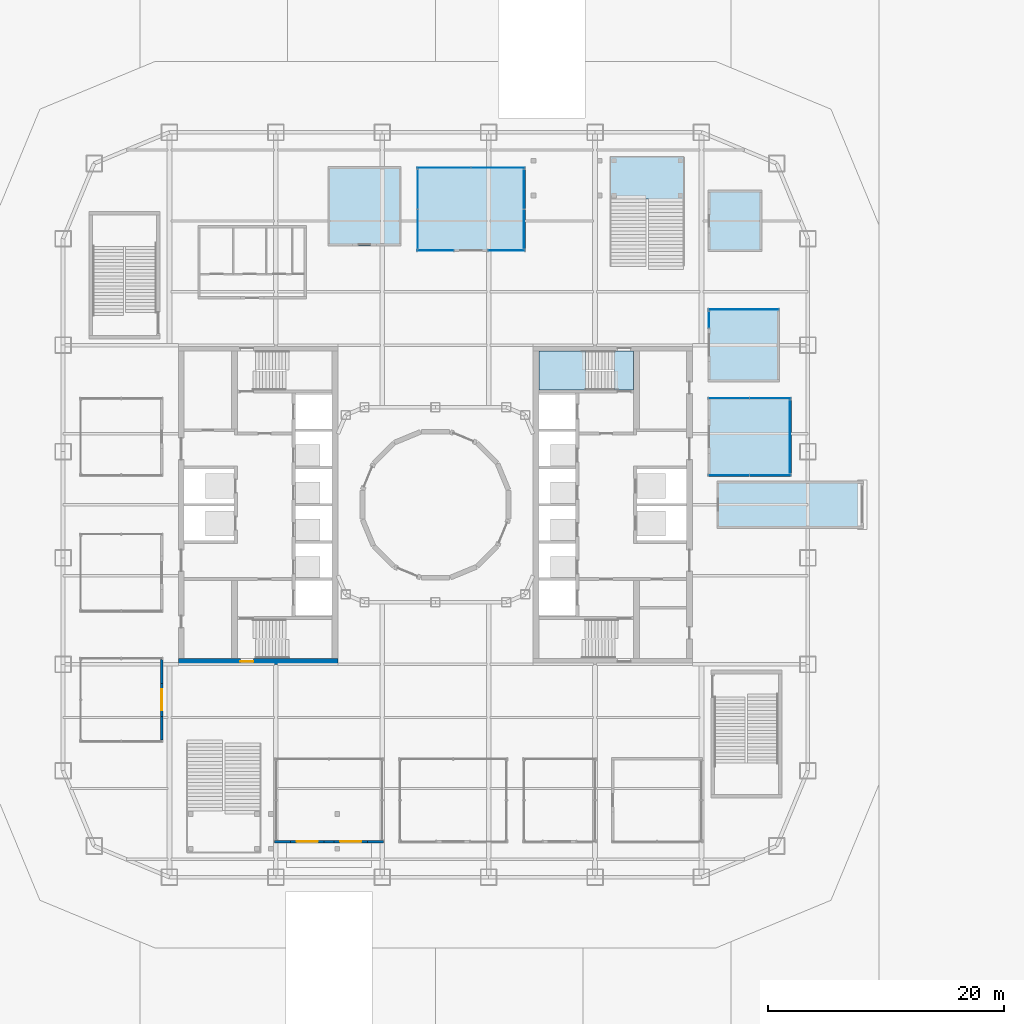
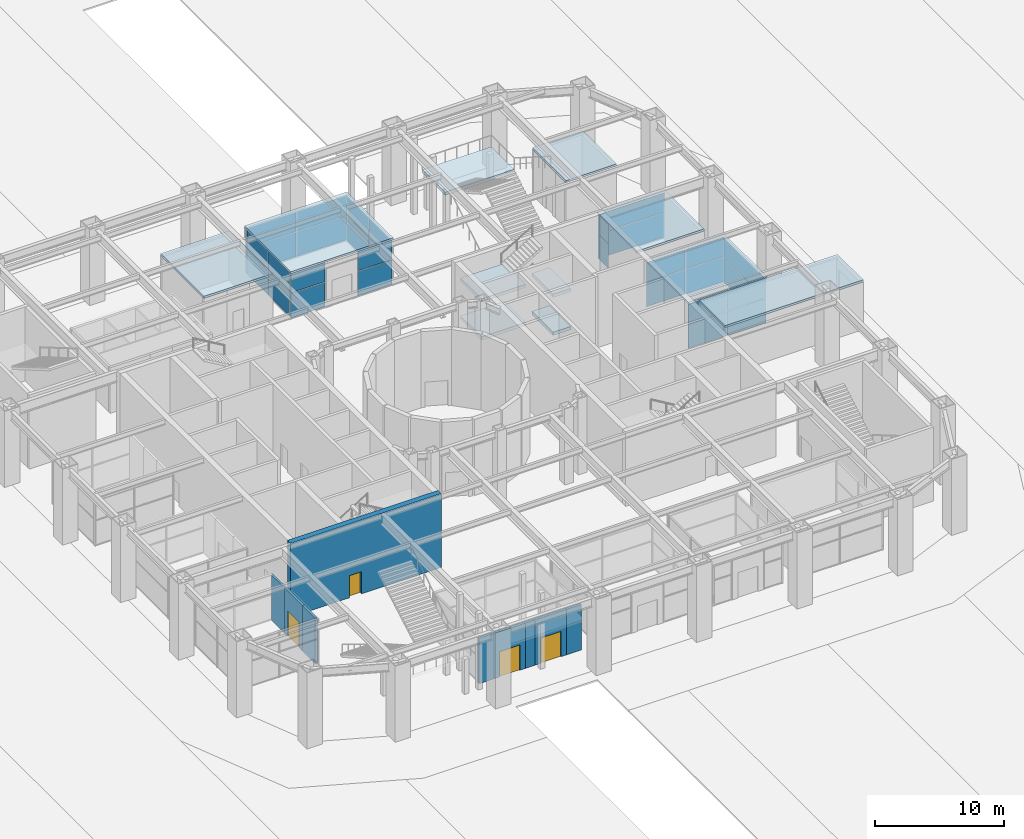
# One storey, part 12 of 20: 36 plates, 9 walls, 5 slabs, 4 doors, 4 openings, 12 elements without a shape of their own.
"""IFC4 building model written with IfcOpenShell, lengths in metres."""

import ifcopenshell
import ifcopenshell.guid

model = None  # the IFC model being written
_history = None  # IfcOwnerHistory: only IFC2X3 demands one
_inside = {}  # id of a spatial element -> (the spatial element, [elements in it])
_under = {}  # id of a project, library or spatial element -> (it, [spatial elements below it])
_declared = {}  # id of a project -> (the project, [libraries it declares])
_typed = {}  # id of a type object -> (the type object, [elements of that type])
_made_of = {}  # id of a material, layer set ... -> (it, [elements and type objects made of it])


def new_model(schema):
    """Start an empty IFC model of exactly this schema.

    Asked for "IFC4X3", IfcOpenShell would pick the latest addendum, in which some entities
    have other attributes; the version numbers below select the first issue.
    IFC2X3 requires an IfcOwnerHistory on every rooted entity: one is made here for all.
    """
    global model, _history
    if schema == "IFC4X3":
        model = ifcopenshell.file(schema_version=(4, 3, 0, 0))
    else:
        model = ifcopenshell.file(schema=schema)
    _inside.clear()
    _under.clear()
    _declared.clear()
    _typed.clear()
    _made_of.clear()
    _history = None
    if model.schema == "IFC2X3":
        org = make("IfcOrganization", Name="unknown")
        user = make(
            "IfcPersonAndOrganization",
            ThePerson=make("IfcPerson", FamilyName="unknown"),
            TheOrganization=org,
        )
        app = make(
            "IfcApplication",
            ApplicationDeveloper=org,
            Version="unknown",
            ApplicationFullName="unknown",
            ApplicationIdentifier="unknown",
        )
        _history = make(
            "IfcOwnerHistory",
            OwningUser=user,
            OwningApplication=app,
            ChangeAction="ADDED",
            CreationDate=0,
        )
    return model


def make(cls, **values):
    """One entity of the class cls with the attributes given. An attribute that is None is left unset."""
    return model.create_entity(
        cls, **{name: value for name, value in values.items() if value is not None}
    )


def rooted(cls, **values):
    """An entity with a GlobalId (a new one), such as an element, a storey or a relation."""
    return make(cls, GlobalId=ifcopenshell.guid.new(), OwnerHistory=_history, **values)


def si_unit(unit_type, name, prefix=None):
    """IfcSIUnit, for example si_unit("LENGTHUNIT", "METRE", prefix="MILLI")."""
    return make("IfcSIUnit", UnitType=unit_type, Prefix=prefix, Name=name)


def assignment(units):
    """IfcUnitAssignment: the units of a project."""
    return None if units is None else make("IfcUnitAssignment", Units=units)


def point(xyz):
    """IfcCartesianPoint."""
    return None if xyz is None else make("IfcCartesianPoint", Coordinates=xyz)


def direction(xyz):
    """IfcDirection."""
    return None if xyz is None else make("IfcDirection", DirectionRatios=xyz)


def frame(location, z_axis=None, x_axis=None):
    """IfcAxis2Placement3D, a coordinate frame: its origin and axes. An axis left out is left unset."""
    return make(
        "IfcAxis2Placement3D",
        Location=point(location),
        Axis=direction(z_axis),
        RefDirection=direction(x_axis),
    )


def frame_2d(location, x_axis=None):
    """IfcAxis2Placement2D, a coordinate frame in the plane: its origin and x axis."""
    return make(
        "IfcAxis2Placement2D", Location=point(location), RefDirection=direction(x_axis)
    )


def origin():
    """The frame at (0, 0, 0) with its axes left unset."""
    return frame((0.0, 0.0, 0.0))


def origin_2d():
    """The frame at (0, 0) in the plane with its x axis left unset."""
    return frame_2d((0.0, 0.0))


def place(relative_to, where):
    """IfcLocalPlacement: puts the frame where relative to a parent placement (None: the world)."""
    return make(
        "IfcLocalPlacement", PlacementRelTo=relative_to, RelativePlacement=where
    )


def context(
    kind, dimensions, precision=None, world=None, true_north=None, identifier=None
):
    """IfcGeometricRepresentationContext, for example the 3D "Model" context."""
    return make(
        "IfcGeometricRepresentationContext",
        ContextIdentifier=identifier,
        ContextType=kind,
        CoordinateSpaceDimension=dimensions,
        Precision=precision,
        WorldCoordinateSystem=world,
        TrueNorth=true_north,
    )


def subcontext(parent, identifier, kind, view, scale=None):
    """IfcGeometricRepresentationSubContext, for example "Body" below "Model"."""
    return make(
        "IfcGeometricRepresentationSubContext",
        ContextIdentifier=identifier,
        ContextType=kind,
        ParentContext=parent,
        TargetScale=scale,
        TargetView=view,
    )


def project(units=None, contexts=None):
    """IfcProject with its units and contexts."""
    return rooted(
        "IfcProject",
        Name="project",
        RepresentationContexts=contexts,
        UnitsInContext=assignment(units),
    )


def spatial(cls, under=None, at=None, **own):
    """A site, building, storey or space (cls), placed at a placement, below another one or the project."""
    s = rooted(cls, ObjectPlacement=at, **own)
    if under is not None:
        _under.setdefault(under.id(), (under, []))[1].append(s)
    return s


def polyline(points):
    """IfcPolyline through the points."""
    return make("IfcPolyline", Points=[point(p) for p in points])


def profile(cls, at=None, kind="AREA", **sizes):
    """A parametric profile (cls). Its sizes go by their IFC names, for example OverallWidth=200.0."""
    return make(cls, ProfileType=kind, Position=at, **sizes)


def rectangle(**sizes):
    """IfcRectangleProfileDef."""
    return profile("IfcRectangleProfileDef", **sizes)


def outline(outer, holes=None, kind="AREA"):
    """IfcArbitraryClosedProfileDef: a profile drawn as a closed curve; with holes, ...WithVoids."""
    if holes is None:
        return make("IfcArbitraryClosedProfileDef", ProfileType=kind, OuterCurve=outer)
    return make(
        "IfcArbitraryProfileDefWithVoids",
        ProfileType=kind,
        OuterCurve=outer,
        InnerCurves=holes,
    )


def extrude(swept, where, along, depth):
    """IfcExtrudedAreaSolid: the profile swept, set in the frame where, extruded along a direction by depth."""
    return make(
        "IfcExtrudedAreaSolid",
        SweptArea=swept,
        Position=where,
        ExtrudedDirection=direction(along),
        Depth=depth,
    )


def shape(context_of_items, identifier, shape_type, items):
    """IfcShapeRepresentation: the items that make up one representation, for example the "Body"."""
    return make(
        "IfcShapeRepresentation",
        ContextOfItems=context_of_items,
        RepresentationIdentifier=identifier,
        RepresentationType=shape_type,
        Items=items,
    )


def material(Name=None, Category=None):
    """IfcMaterial."""
    return make("IfcMaterial", Name=Name, Category=Category)


def layer(
    of_material, thickness, ventilated=None, Name=None, Category=None, Priority=None
):
    """IfcMaterialLayer: one layer of a wall or slab, of a material (None: an air gap)."""
    return make(
        "IfcMaterialLayer",
        Material=of_material,
        LayerThickness=thickness,
        IsVentilated=ventilated,
        Name=Name,
        Category=Category,
        Priority=Priority,
    )


def layer_set(layers, Name=None):
    """IfcMaterialLayerSet."""
    return make("IfcMaterialLayerSet", MaterialLayers=layers, LayerSetName=Name)


def made_of(thing, what):
    """Note that an element or type object is made of a material, layer set ...; save() writes the relation."""
    if what is not None:
        _made_of.setdefault(what.id(), (what, []))[1].append(thing)
    return thing


def type_object(cls, material=None, **own):
    """A type object (cls), such as IfcWallType, which elements share."""
    return made_of(rooted(cls, **own), material)


def element(
    cls,
    number,
    at=None,
    inside=None,
    cuts=None,
    type_object=None,
    material=None,
    context=None,
    identifier="Body",
    shape_type=None,
    held_by="IfcProductDefinitionShape",
    body=None,
    shapes=None,
    **own,
):
    """One element of the class cls, such as IfcWall. Its Tag is "e" and its number.

    at: its placement. inside: the storey or other place that contains it. cuts: it is an
    opening in that element (IfcRelVoidsElement). A single representation is given by context,
    identifier, shape_type and body (its items); several are given by shapes. held_by: the class
    of the entity that holds the representations. save() writes the other relations.
    """
    e = rooted(cls, Tag="e%d" % number, ObjectPlacement=at, **own)
    if body is not None:
        shapes = [shape(context, identifier, shape_type, body)]
    if shapes is not None:
        e.Representation = make(held_by, Representations=shapes)
    if inside is not None:
        _inside.setdefault(inside.id(), (inside, []))[1].append(e)
    if cuts is not None:
        rooted(
            "IfcRelVoidsElement", RelatingBuildingElement=cuts, RelatedOpeningElement=e
        )
    if type_object is not None:
        _typed.setdefault(type_object.id(), (type_object, []))[1].append(e)
    return made_of(e, material)


def fill(opening, filler):
    """IfcRelFillsElement: the door or window that sits in an opening."""
    return rooted(
        "IfcRelFillsElement",
        RelatingOpeningElement=opening,
        RelatedBuildingElement=filler,
    )


def aggregate(whole, parts):
    """IfcRelAggregates: a whole, such as a stair, and the parts it consists of."""
    return rooted("IfcRelAggregates", RelatingObject=whole, RelatedObjects=parts)


def save(model, path):
    """Write the relations noted so far, then the file.

    IfcRelAggregates (storeys below a building ...), IfcRelContainedInSpatialStructure (elements
    in a storey), IfcRelDefinesByType, IfcRelAssociatesMaterial and IfcRelDeclares: one each for
    every whole, place, type object, material and project.
    """
    for whole, parts in _under.values():
        aggregate(whole, parts)
    for where, things in _inside.values():
        rooted(
            "IfcRelContainedInSpatialStructure",
            RelatedElements=things,
            RelatingStructure=where,
        )
    for kind, things in _typed.values():
        rooted("IfcRelDefinesByType", RelatedObjects=things, RelatingType=kind)
    for what, things in _made_of.values():
        rooted("IfcRelAssociatesMaterial", RelatedObjects=things, RelatingMaterial=what)
    for by, libraries in _declared.values():
        rooted("IfcRelDeclares", RelatingContext=by, RelatedDefinitions=libraries)
    model.write(path)


model = new_model("IFC4")

# Units and contexts
model_context = context("Model", 3, precision=1e-05, world=origin(), true_north=direction((0.0, 1.0)))
body_context = subcontext(model_context, "Body", "Model", "MODEL_VIEW")
ifc_project = project(units=[si_unit("LENGTHUNIT", "METRE"), si_unit("AREAUNIT", "SQUARE_METRE"), si_unit("VOLUMEUNIT", "CUBIC_METRE"), si_unit("PLANEANGLEUNIT", "RADIAN"), si_unit("MASSUNIT", "GRAM", prefix="KILO")], contexts=[model_context])

# Site, building, storey
site_placement = place(None, origin())
site = spatial("IfcSite", under=ifc_project, at=site_placement, CompositionType="ELEMENT")
building_placement = place(site_placement, origin())
building = spatial("IfcBuilding", under=site, at=building_placement, Name="Siwar Civic Tower", CompositionType="ELEMENT")
storey_placement = place(building_placement, origin())
storey = spatial("IfcBuildingStorey", under=building, at=storey_placement, Name="L00", CompositionType="ELEMENT", Elevation=0.0)

# Stair, slabs
ifc_material_1 = material(Name="Concrete C40/50", Category="concrete")
stair_type_1 = type_object("IfcStairType", Name="CORE-STAIR", PredefinedType="TWO_STRAIGHT_RUN_STAIR", material=ifc_material_1)
stair_1_placement = place(storey_placement, origin())
stair_1 = element("IfcStair", 1, at=stair_1_placement, inside=storey, type_object=stair_type_1, Name="Exit stair ST3", PredefinedType="TWO_STRAIGHT_RUN_STAIR")
ifc_material_2 = material(Name="Concrete C40/50", Category="concrete")
ifc_layer_1 = layer(ifc_material_2, 0.300048828125)
ifc_layer_set_1 = layer_set([ifc_layer_1], Name="Concrete C40/50")
slab_type_1 = type_object("IfcSlabType", Name="CORE-STAIR-LANDING", PredefinedType="LANDING", material=ifc_layer_set_1)
slab_1_placement = place(storey_placement, frame((0.0, 0.0, -0.300048828125)))
slab_1 = element("IfcSlab", 2, at=slab_1_placement, type_object=slab_type_1, Name="ST3 landing 1", PredefinedType="LANDING", context=body_context, shape_type="SweptSolid", body=[
    extrude(outline(polyline([(15.14990234375, 9.699951171875), (16.75, 9.699951171875), (16.75, 13.0), (15.14990234375, 13.0), (15.14990234375, 9.699951171875)])), origin(), (0.0, 0.0, 1.0), 0.300048828125),
])
slab_2_placement = place(storey_placement, frame((0.0, 0.0, 1.5)))
slab_2 = element("IfcSlab", 3, at=slab_2_placement, type_object=slab_type_1, Name="ST3 landing 2", PredefinedType="LANDING", context=body_context, shape_type="SweptSolid", body=[
    extrude(outline(polyline([(8.75, 9.699951171875), (12.699951171875, 9.699951171875), (12.699951171875, 13.0), (8.75, 13.0), (8.75, 9.699951171875)])), origin(), (0.0, 0.0, 1.0), 0.300048828125),
])
slab_3_placement = place(storey_placement, frame((0.0, 0.0, 3.300048828125)))
slab_3 = element("IfcSlab", 4, at=slab_3_placement, type_object=slab_type_1, Name="ST3 landing 3", PredefinedType="LANDING", context=body_context, shape_type="SweptSolid", body=[
    extrude(outline(polyline([(15.14990234375, 9.699951171875), (16.75, 9.699951171875), (16.75, 13.0), (15.14990234375, 13.0), (15.14990234375, 9.699951171875)])), origin(), (0.0, 0.0, 1.0), 0.300048828125),
])
slab_4_placement = place(storey_placement, frame((0.0, 0.0, 5.10009765625)))
slab_4 = element("IfcSlab", 5, at=slab_4_placement, type_object=slab_type_1, Name="ST3 landing 4", PredefinedType="LANDING", context=body_context, shape_type="SweptSolid", body=[
    extrude(outline(polyline([(8.75, 9.699951171875), (12.699951171875, 9.699951171875), (12.699951171875, 13.0), (8.75, 13.0), (8.75, 9.699951171875)])), origin(), (0.0, 0.0, 1.0), 0.2998046875),
])
aggregate(stair_1, [slab_1, slab_2, slab_3, slab_4])

# Curtain wall, plates
ifc_material_3 = material(Name="Aluminium and glass", Category="aluminium")
ifc_layer_2 = layer(ifc_material_3, 0.199951171875)
ifc_layer_set_2 = layer_set([ifc_layer_2], Name="Aluminium and glass")
curtain_wall_type = type_object("IfcCurtainWallType", Name="GND-CWG", PredefinedType="NOTDEFINED", material=ifc_layer_set_2)
curtain_wall_1_placement = place(storey_placement, origin())
curtain_wall_1 = element("IfcCurtainWall", 6, at=curtain_wall_1_placement, inside=storey, type_object=curtain_wall_type, Name="Glazed screen P03", PredefinedType="NOTDEFINED")
ifc_material_4 = material(Name="Clear laminated glass", Category="glass")
ifc_layer_3 = layer(ifc_material_4, 0.028076171875)
ifc_layer_set_3 = layer_set([ifc_layer_3], Name="Clear laminated glass")
plate_type_1 = type_object("IfcPlateType", Name="GND-CWG-PANEL", PredefinedType="CURTAIN_PANEL", material=ifc_layer_set_3)
plate_1_placement = place(storey_placement, frame((24.827392578125, 2.5, 0.06005859375), z_axis=(0.0, 0.0, 1.0), x_axis=(1.0, 0.0, 0.0)))
plate_1 = element("IfcPlate", 7, at=plate_1_placement, type_object=plate_type_1, Name="CW-G panel 1.1", PredefinedType="CURTAIN_PANEL", context=body_context, shape_type="SweptSolid", body=[
    extrude(rectangle(XDim=3.43505859375, YDim=0.028076171875, at=origin_2d()), origin(), (0.0, 0.0, 1.0), 2.31005859375),
])
plate_2_placement = place(storey_placement, frame((24.827392578125, 2.5, 2.429931640625), z_axis=(0.0, 0.0, 1.0), x_axis=(1.0, 0.0, 0.0)))
plate_2 = element("IfcPlate", 8, at=plate_2_placement, type_object=plate_type_1, Name="CW-G panel 1.2", PredefinedType="CURTAIN_PANEL", context=body_context, shape_type="SweptSolid", body=[
    extrude(rectangle(XDim=3.43505859375, YDim=0.028076171875, at=origin_2d()), origin(), (0.0, 0.0, 1.0), 1.81005859375),
])
plate_3_placement = place(storey_placement, frame((28.322509765625, 2.5, 0.06005859375), z_axis=(0.0, 0.0, 1.0), x_axis=(1.0, 0.0, 0.0)))
plate_3 = element("IfcPlate", 9, at=plate_3_placement, type_object=plate_type_1, Name="CW-G panel 2.1", PredefinedType="CURTAIN_PANEL", context=body_context, shape_type="SweptSolid", body=[
    extrude(rectangle(XDim=3.43505859375, YDim=0.028076171875, at=origin_2d()), origin(), (0.0, 0.0, 1.0), 2.31005859375),
])
plate_4_placement = place(storey_placement, frame((28.322509765625, 2.5, 2.429931640625), z_axis=(0.0, 0.0, 1.0), x_axis=(1.0, 0.0, 0.0)))
plate_4 = element("IfcPlate", 10, at=plate_4_placement, type_object=plate_type_1, Name="CW-G panel 2.2", PredefinedType="CURTAIN_PANEL", context=body_context, shape_type="SweptSolid", body=[
    extrude(rectangle(XDim=3.43505859375, YDim=0.028076171875, at=origin_2d()), origin(), (0.0, 0.0, 1.0), 1.81005859375),
])
aggregate(curtain_wall_1, [plate_1, plate_2, plate_3, plate_4])

curtain_wall_2_placement = place(storey_placement, origin())
curtain_wall_2 = element("IfcCurtainWall", 11, at=curtain_wall_2_placement, inside=storey, type_object=curtain_wall_type, Name="Glazed screen P03", PredefinedType="NOTDEFINED")
plate_5_placement = place(storey_placement, frame((30.0, 5.75, 0.06005859375), z_axis=(0.0, 0.0, 1.0), x_axis=(0.0, 1.0, 0.0)))
plate_5 = element("IfcPlate", 12, at=plate_5_placement, type_object=plate_type_1, Name="CW-G panel 1.1", PredefinedType="CURTAIN_PANEL", context=body_context, shape_type="SweptSolid", body=[
    extrude(rectangle(XDim=6.179931640625, YDim=0.028076171875, at=origin_2d()), origin(), (0.0, 0.0, 1.0), 2.31005859375),
])
plate_6_placement = place(storey_placement, frame((30.0, 5.75, 2.429931640625), z_axis=(0.0, 0.0, 1.0), x_axis=(0.0, 1.0, 0.0)))
plate_6 = element("IfcPlate", 13, at=plate_6_placement, type_object=plate_type_1, Name="CW-G panel 1.2", PredefinedType="CURTAIN_PANEL", context=body_context, shape_type="SweptSolid", body=[
    extrude(rectangle(XDim=6.179931640625, YDim=0.028076171875, at=origin_2d()), origin(), (0.0, 0.0, 1.0), 1.81005859375),
])
aggregate(curtain_wall_2, [plate_5, plate_6])

curtain_wall_3_placement = place(storey_placement, origin())
curtain_wall_3 = element("IfcCurtainWall", 14, at=curtain_wall_3_placement, inside=storey, type_object=curtain_wall_type, Name="Glazed screen P03", PredefinedType="NOTDEFINED")
plate_7_placement = place(storey_placement, frame((24.827392578125, 9.0, 0.06005859375), z_axis=(0.0, 0.0, 1.0), x_axis=(1.0, 0.0, 0.0)))
plate_7 = element("IfcPlate", 15, at=plate_7_placement, type_object=plate_type_1, Name="CW-G panel 1.1", PredefinedType="CURTAIN_PANEL", context=body_context, shape_type="SweptSolid", body=[
    extrude(rectangle(XDim=3.43505859375, YDim=0.028076171875, at=origin_2d()), origin(), (0.0, 0.0, 1.0), 2.31005859375),
])
plate_8_placement = place(storey_placement, frame((24.827392578125, 9.0, 2.429931640625), z_axis=(0.0, 0.0, 1.0), x_axis=(1.0, 0.0, 0.0)))
plate_8 = element("IfcPlate", 16, at=plate_8_placement, type_object=plate_type_1, Name="CW-G panel 1.2", PredefinedType="CURTAIN_PANEL", context=body_context, shape_type="SweptSolid", body=[
    extrude(rectangle(XDim=3.43505859375, YDim=0.028076171875, at=origin_2d()), origin(), (0.0, 0.0, 1.0), 1.81005859375),
])
plate_9_placement = place(storey_placement, frame((28.322509765625, 9.0, 0.06005859375), z_axis=(0.0, 0.0, 1.0), x_axis=(1.0, 0.0, 0.0)))
plate_9 = element("IfcPlate", 17, at=plate_9_placement, type_object=plate_type_1, Name="CW-G panel 2.1", PredefinedType="CURTAIN_PANEL", context=body_context, shape_type="SweptSolid", body=[
    extrude(rectangle(XDim=3.43505859375, YDim=0.028076171875, at=origin_2d()), origin(), (0.0, 0.0, 1.0), 2.31005859375),
])
plate_10_placement = place(storey_placement, frame((28.322509765625, 9.0, 2.429931640625), z_axis=(0.0, 0.0, 1.0), x_axis=(1.0, 0.0, 0.0)))
plate_10 = element("IfcPlate", 18, at=plate_10_placement, type_object=plate_type_1, Name="CW-G panel 2.2", PredefinedType="CURTAIN_PANEL", context=body_context, shape_type="SweptSolid", body=[
    extrude(rectangle(XDim=3.43505859375, YDim=0.028076171875, at=origin_2d()), origin(), (0.0, 0.0, 1.0), 1.81005859375),
])
aggregate(curtain_wall_3, [plate_7, plate_8, plate_9, plate_10])

curtain_wall_4_placement = place(storey_placement, origin())
curtain_wall_4 = element("IfcCurtainWall", 19, at=curtain_wall_4_placement, inside=storey, type_object=curtain_wall_type, Name="Glazed screen P07", PredefinedType="NOTDEFINED")
plate_11_placement = place(storey_placement, frame((0.0, 21.5, 0.06005859375), z_axis=(0.0, 0.0, 1.0), x_axis=(1.0, 0.0, 0.0)))
plate_11 = element("IfcPlate", 20, at=plate_11_placement, type_object=plate_type_1, Name="CW-G panel 1.1", PredefinedType="CURTAIN_PANEL", context=body_context, shape_type="SweptSolid", body=[
    extrude(rectangle(XDim=3.080078125, YDim=0.028076171875, at=origin_2d()), origin(), (0.0, 0.0, 1.0), 2.31005859375),
])
plate_12_placement = place(storey_placement, frame((0.0, 21.5, 2.429931640625), z_axis=(0.0, 0.0, 1.0), x_axis=(1.0, 0.0, 0.0)))
plate_12 = element("IfcPlate", 21, at=plate_12_placement, type_object=plate_type_1, Name="CW-G panel 1.2", PredefinedType="CURTAIN_PANEL", context=body_context, shape_type="SweptSolid", body=[
    extrude(rectangle(XDim=3.080078125, YDim=0.028076171875, at=origin_2d()), origin(), (0.0, 0.0, 1.0), 1.81005859375),
])
aggregate(curtain_wall_4, [plate_11, plate_12])

curtain_wall_5_placement = place(storey_placement, origin())
curtain_wall_5 = element("IfcCurtainWall", 22, at=curtain_wall_5_placement, inside=storey, type_object=curtain_wall_type, Name="Glazed screen P07", PredefinedType="NOTDEFINED")
plate_13_placement = place(storey_placement, frame((6.0, 21.5, 0.06005859375), z_axis=(0.0, 0.0, 1.0), x_axis=(1.0, 0.0, 0.0)))
plate_13 = element("IfcPlate", 23, at=plate_13_placement, type_object=plate_type_1, Name="CW-G panel 1.1", PredefinedType="CURTAIN_PANEL", context=body_context, shape_type="SweptSolid", body=[
    extrude(rectangle(XDim=3.080078125, YDim=0.028076171875, at=origin_2d()), origin(), (0.0, 0.0, 1.0), 2.31005859375),
])
plate_14_placement = place(storey_placement, frame((6.0, 21.5, 2.429931640625), z_axis=(0.0, 0.0, 1.0), x_axis=(1.0, 0.0, 0.0)))
plate_14 = element("IfcPlate", 24, at=plate_14_placement, type_object=plate_type_1, Name="CW-G panel 1.2", PredefinedType="CURTAIN_PANEL", context=body_context, shape_type="SweptSolid", body=[
    extrude(rectangle(XDim=3.080078125, YDim=0.028076171875, at=origin_2d()), origin(), (0.0, 0.0, 1.0), 1.81005859375),
])
aggregate(curtain_wall_5, [plate_13, plate_14])

curtain_wall_6_placement = place(storey_placement, origin())
curtain_wall_6 = element("IfcCurtainWall", 25, at=curtain_wall_6_placement, inside=storey, type_object=curtain_wall_type, Name="Glazed screen P07", PredefinedType="NOTDEFINED")
plate_15_placement = place(storey_placement, frame((7.5, 23.31494140625, 0.06005859375), z_axis=(0.0, 0.0, 1.0), x_axis=(0.0, 1.0, 0.0)))
plate_15 = element("IfcPlate", 26, at=plate_15_placement, type_object=plate_type_1, Name="CW-G panel 1.1", PredefinedType="CURTAIN_PANEL", context=body_context, shape_type="SweptSolid", body=[
    extrude(rectangle(XDim=3.31005859375, YDim=0.028076171875, at=origin_2d()), origin(), (0.0, 0.0, 1.0), 2.31005859375),
])
plate_16_placement = place(storey_placement, frame((7.5, 23.31494140625, 2.429931640625), z_axis=(0.0, 0.0, 1.0), x_axis=(0.0, 1.0, 0.0)))
plate_16 = element("IfcPlate", 27, at=plate_16_placement, type_object=plate_type_1, Name="CW-G panel 1.2", PredefinedType="CURTAIN_PANEL", context=body_context, shape_type="SweptSolid", body=[
    extrude(rectangle(XDim=3.31005859375, YDim=0.028076171875, at=origin_2d()), origin(), (0.0, 0.0, 1.0), 1.81005859375),
])
plate_17_placement = place(storey_placement, frame((7.5, 26.68505859375, 0.06005859375), z_axis=(0.0, 0.0, 1.0), x_axis=(0.0, 1.0, 0.0)))
plate_17 = element("IfcPlate", 28, at=plate_17_placement, type_object=plate_type_1, Name="CW-G panel 2.1", PredefinedType="CURTAIN_PANEL", context=body_context, shape_type="SweptSolid", body=[
    extrude(rectangle(XDim=3.31005859375, YDim=0.028076171875, at=origin_2d()), origin(), (0.0, 0.0, 1.0), 2.31005859375),
])
plate_18_placement = place(storey_placement, frame((7.5, 26.68505859375, 2.429931640625), z_axis=(0.0, 0.0, 1.0), x_axis=(0.0, 1.0, 0.0)))
plate_18 = element("IfcPlate", 29, at=plate_18_placement, type_object=plate_type_1, Name="CW-G panel 2.2", PredefinedType="CURTAIN_PANEL", context=body_context, shape_type="SweptSolid", body=[
    extrude(rectangle(XDim=3.31005859375, YDim=0.028076171875, at=origin_2d()), origin(), (0.0, 0.0, 1.0), 1.81005859375),
])
aggregate(curtain_wall_6, [plate_15, plate_16, plate_17, plate_18])

curtain_wall_7_placement = place(storey_placement, origin())
curtain_wall_7 = element("IfcCurtainWall", 30, at=curtain_wall_7_placement, inside=storey, type_object=curtain_wall_type, Name="Glazed screen P07", PredefinedType="NOTDEFINED")
plate_19_placement = place(storey_placement, frame((0.715087890625, 28.5, 0.06005859375), z_axis=(0.0, 0.0, 1.0), x_axis=(1.0, 0.0, 0.0)))
plate_19 = element("IfcPlate", 31, at=plate_19_placement, type_object=plate_type_1, Name="CW-G panel 1.1", PredefinedType="CURTAIN_PANEL", context=body_context, shape_type="SweptSolid", body=[
    extrude(rectangle(XDim=4.510009765625, YDim=0.028076171875, at=origin_2d()), origin(), (0.0, 0.0, 1.0), 2.31005859375),
])
plate_20_placement = place(storey_placement, frame((0.715087890625, 28.5, 2.429931640625), z_axis=(0.0, 0.0, 1.0), x_axis=(1.0, 0.0, 0.0)))
plate_20 = element("IfcPlate", 32, at=plate_20_placement, type_object=plate_type_1, Name="CW-G panel 1.2", PredefinedType="CURTAIN_PANEL", context=body_context, shape_type="SweptSolid", body=[
    extrude(rectangle(XDim=4.510009765625, YDim=0.028076171875, at=origin_2d()), origin(), (0.0, 0.0, 1.0), 1.81005859375),
])
plate_21_placement = place(storey_placement, frame((5.284912109375, 28.5, 0.06005859375), z_axis=(0.0, 0.0, 1.0), x_axis=(1.0, 0.0, 0.0)))
plate_21 = element("IfcPlate", 33, at=plate_21_placement, type_object=plate_type_1, Name="CW-G panel 2.1", PredefinedType="CURTAIN_PANEL", context=body_context, shape_type="SweptSolid", body=[
    extrude(rectangle(XDim=4.510009765625, YDim=0.028076171875, at=origin_2d()), origin(), (0.0, 0.0, 1.0), 2.31005859375),
])
plate_22_placement = place(storey_placement, frame((5.284912109375, 28.5, 2.429931640625), z_axis=(0.0, 0.0, 1.0), x_axis=(1.0, 0.0, 0.0)))
plate_22 = element("IfcPlate", 34, at=plate_22_placement, type_object=plate_type_1, Name="CW-G panel 2.2", PredefinedType="CURTAIN_PANEL", context=body_context, shape_type="SweptSolid", body=[
    extrude(rectangle(XDim=4.510009765625, YDim=0.028076171875, at=origin_2d()), origin(), (0.0, 0.0, 1.0), 1.81005859375),
])
aggregate(curtain_wall_7, [plate_19, plate_20, plate_21, plate_22])

curtain_wall_8_placement = place(storey_placement, origin())
curtain_wall_8 = element("IfcCurtainWall", 35, at=curtain_wall_8_placement, inside=storey, type_object=curtain_wall_type, Name="Glazed screen P07", PredefinedType="NOTDEFINED")
plate_23_placement = place(storey_placement, frame((-1.5, 23.31494140625, 0.06005859375), z_axis=(0.0, 0.0, 1.0), x_axis=(0.0, 1.0, 0.0)))
plate_23 = element("IfcPlate", 36, at=plate_23_placement, type_object=plate_type_1, Name="CW-G panel 1.1", PredefinedType="CURTAIN_PANEL", context=body_context, shape_type="SweptSolid", body=[
    extrude(rectangle(XDim=3.31005859375, YDim=0.028076171875, at=origin_2d()), origin(), (0.0, 0.0, 1.0), 2.31005859375),
])
plate_24_placement = place(storey_placement, frame((-1.5, 23.31494140625, 2.429931640625), z_axis=(0.0, 0.0, 1.0), x_axis=(0.0, 1.0, 0.0)))
plate_24 = element("IfcPlate", 37, at=plate_24_placement, type_object=plate_type_1, Name="CW-G panel 1.2", PredefinedType="CURTAIN_PANEL", context=body_context, shape_type="SweptSolid", body=[
    extrude(rectangle(XDim=3.31005859375, YDim=0.028076171875, at=origin_2d()), origin(), (0.0, 0.0, 1.0), 1.81005859375),
])
plate_25_placement = place(storey_placement, frame((-1.5, 26.68505859375, 0.06005859375), z_axis=(0.0, 0.0, 1.0), x_axis=(0.0, 1.0, 0.0)))
plate_25 = element("IfcPlate", 38, at=plate_25_placement, type_object=plate_type_1, Name="CW-G panel 2.1", PredefinedType="CURTAIN_PANEL", context=body_context, shape_type="SweptSolid", body=[
    extrude(rectangle(XDim=3.31005859375, YDim=0.028076171875, at=origin_2d()), origin(), (0.0, 0.0, 1.0), 2.31005859375),
])
plate_26_placement = place(storey_placement, frame((-1.5, 26.68505859375, 2.429931640625), z_axis=(0.0, 0.0, 1.0), x_axis=(0.0, 1.0, 0.0)))
plate_26 = element("IfcPlate", 39, at=plate_26_placement, type_object=plate_type_1, Name="CW-G panel 2.2", PredefinedType="CURTAIN_PANEL", context=body_context, shape_type="SweptSolid", body=[
    extrude(rectangle(XDim=3.31005859375, YDim=0.028076171875, at=origin_2d()), origin(), (0.0, 0.0, 1.0), 1.81005859375),
])
aggregate(curtain_wall_8, [plate_23, plate_24, plate_25, plate_26])

curtain_wall_9_placement = place(storey_placement, origin())
curtain_wall_9 = element("IfcCurtainWall", 40, at=curtain_wall_9_placement, inside=storey, type_object=curtain_wall_type, Name="Glazed screen P08", PredefinedType="NOTDEFINED")
plate_27_placement = place(storey_placement, frame((26.074951171875, 16.5, 0.06005859375), z_axis=(0.0, 0.0, 1.0), x_axis=(1.0, 0.0, 0.0)))
plate_27 = element("IfcPlate", 41, at=plate_27_placement, type_object=plate_type_1, Name="CW-G panel 1.1", PredefinedType="CURTAIN_PANEL", context=body_context, shape_type="SweptSolid", body=[
    extrude(rectangle(XDim=5.929931640625, YDim=0.028076171875, at=origin_2d()), origin(), (0.0, 0.0, 1.0), 2.31005859375),
])
plate_28_placement = place(storey_placement, frame((26.074951171875, 16.5, 2.429931640625), z_axis=(0.0, 0.0, 1.0), x_axis=(1.0, 0.0, 0.0)))
plate_28 = element("IfcPlate", 42, at=plate_28_placement, type_object=plate_type_1, Name="CW-G panel 1.2", PredefinedType="CURTAIN_PANEL", context=body_context, shape_type="SweptSolid", body=[
    extrude(rectangle(XDim=5.929931640625, YDim=0.028076171875, at=origin_2d()), origin(), (0.0, 0.0, 1.0), 1.81005859375),
])
aggregate(curtain_wall_9, [plate_27, plate_28])

curtain_wall_10_placement = place(storey_placement, origin())
curtain_wall_10 = element("IfcCurtainWall", 43, at=curtain_wall_10_placement, inside=storey, type_object=curtain_wall_type, Name="Glazed screen P08", PredefinedType="NOTDEFINED")
plate_29_placement = place(storey_placement, frame((23.14990234375, 15.64990234375, 0.06005859375), z_axis=(0.0, 0.0, 1.0), x_axis=(0.0, 1.0, 0.0)))
plate_29 = element("IfcPlate", 44, at=plate_29_placement, type_object=plate_type_1, Name="CW-G panel 1.1", PredefinedType="CURTAIN_PANEL", context=body_context, shape_type="SweptSolid", body=[
    extrude(rectangle(XDim=1.3798828125, YDim=0.028076171875, at=origin_2d()), origin(), (0.0, 0.0, 1.0), 2.31005859375),
])
plate_30_placement = place(storey_placement, frame((23.14990234375, 15.64990234375, 2.429931640625), z_axis=(0.0, 0.0, 1.0), x_axis=(0.0, 1.0, 0.0)))
plate_30 = element("IfcPlate", 45, at=plate_30_placement, type_object=plate_type_1, Name="CW-G panel 1.2", PredefinedType="CURTAIN_PANEL", context=body_context, shape_type="SweptSolid", body=[
    extrude(rectangle(XDim=1.3798828125, YDim=0.028076171875, at=origin_2d()), origin(), (0.0, 0.0, 1.0), 1.81005859375),
])
aggregate(curtain_wall_10, [plate_29, plate_30])

# Stair, slab
ifc_material_5 = material(Name="Concrete C40/50", Category="concrete")
stair_type_2 = type_object("IfcStairType", Name="GND-GS-STAIR", PredefinedType="TWO_STRAIGHT_RUN_STAIR", material=ifc_material_5)
stair_2_placement = place(storey_placement, origin())
stair_2 = element("IfcStair", 46, at=stair_2_placement, inside=storey, type_object=stair_type_2, Name="Grand stair 2", PredefinedType="TWO_STRAIGHT_RUN_STAIR")
ifc_material_6 = material(Name="Concrete C40/50", Category="concrete")
ifc_layer_4 = layer(ifc_material_6, 0.300048828125)
ifc_layer_set_4 = layer_set([ifc_layer_4], Name="Concrete C40/50")
slab_type_2 = type_object("IfcSlabType", Name="GND-GS-LANDING", PredefinedType="LANDING", material=ifc_layer_set_4)
slab_5_placement = place(storey_placement, frame((0.0, 0.0, 3.300048828125)))
slab_5 = element("IfcSlab", 47, at=slab_5_placement, type_object=slab_type_2, Name="GS2 landing 1", PredefinedType="LANDING", context=body_context, shape_type="SweptSolid", body=[
    extrude(outline(polyline([(21.0, 29.39990234375), (14.800048828125, 29.39990234375), (14.800048828125, 25.85009765625), (21.0, 25.85009765625), (21.0, 29.39990234375)])), origin(), (0.0, 0.0, 1.0), 0.300048828125),
])
aggregate(stair_2, [slab_5])

# Plates
ifc_material_7 = material(Name="Insulated metal deck")
ifc_layer_5 = layer(ifc_material_7, 0.199951171875)
ifc_layer_set_5 = layer_set([ifc_layer_5], Name="Insulated metal deck")
plate_type_2 = type_object("IfcPlateType", Name="GND-POD-ROOF", PredefinedType="SHEET", material=ifc_layer_set_5)
plate_31_placement = place(storey_placement, frame((0.0, 0.0, 4.300048828125)))
element("IfcPlate", 48, at=plate_31_placement, inside=storey, type_object=plate_type_2, Name="Roof Security screening hall", PredefinedType="SHEET", context=body_context, shape_type="SweptSolid", body=[
    extrude(outline(polyline([(23.050048828125, 2.39990234375), (30.10009765625, 2.39990234375), (30.10009765625, 9.10009765625), (23.050048828125, 9.10009765625), (23.050048828125, 2.39990234375)])), origin(), (0.0, 0.0, 1.0), 0.199951171875),
])
plate_32_placement = place(storey_placement, frame((0.0, 0.0, 4.300048828125)))
element("IfcPlate", 49, at=plate_32_placement, inside=storey, type_object=plate_type_2, Name="Roof Ministry reception", PredefinedType="SHEET", context=body_context, shape_type="SweptSolid", body=[
    extrude(outline(polyline([(-1.60009765625, 21.39990234375), (7.60009765625, 21.39990234375), (7.60009765625, 28.60009765625), (-1.60009765625, 28.60009765625), (-1.60009765625, 21.39990234375)])), origin(), (0.0, 0.0, 1.0), 0.199951171875),
])
plate_33_placement = place(storey_placement, frame((0.0, 0.0, 4.300048828125)))
element("IfcPlate", 50, at=plate_33_placement, inside=storey, type_object=plate_type_2, Name="Roof Bicycle store", PredefinedType="SHEET", context=body_context, shape_type="SweptSolid", body=[
    extrude(outline(polyline([(23.050048828125, 10.39990234375), (29.10009765625, 10.39990234375), (29.10009765625, 16.60009765625), (23.050048828125, 16.60009765625), (23.050048828125, 10.39990234375)])), origin(), (0.0, 0.0, 1.0), 0.199951171875),
])
plate_34_placement = place(storey_placement, frame((0.0, 0.0, 4.300048828125)))
element("IfcPlate", 51, at=plate_34_placement, inside=storey, type_object=plate_type_2, Name="Roof Switchgear room", PredefinedType="SHEET", context=body_context, shape_type="SweptSolid", body=[
    extrude(outline(polyline([(-9.10009765625, 21.89990234375), (-2.89990234375, 21.89990234375), (-2.89990234375, 28.60009765625), (-9.10009765625, 28.60009765625), (-9.10009765625, 21.89990234375)])), origin(), (0.0, 0.0, 1.0), 0.199951171875),
])
plate_35_placement = place(storey_placement, frame((0.0, 0.0, 4.300048828125)))
element("IfcPlate", 52, at=plate_35_placement, inside=storey, type_object=plate_type_2, Name="Roof Refuse store", PredefinedType="SHEET", context=body_context, shape_type="SweptSolid", body=[
    extrude(outline(polyline([(23.050048828125, 21.39990234375), (27.60009765625, 21.39990234375), (27.60009765625, 26.60009765625), (23.050048828125, 26.60009765625), (23.050048828125, 21.39990234375)])), origin(), (0.0, 0.0, 1.0), 0.199951171875),
])
plate_36_placement = place(storey_placement, frame((0.0, 0.0, 4.5)))
element("IfcPlate", 53, at=plate_36_placement, inside=storey, type_object=plate_type_2, Name="Roof loading bay", PredefinedType="SHEET", context=body_context, shape_type="SweptSolid", body=[
    extrude(outline(polyline([(23.800048828125, -2.0), (36.199951171875, -2.0), (36.199951171875, 2.0), (23.800048828125, 2.0), (23.800048828125, -2.0)])), origin(), (0.0, 0.0, 1.0), 0.199951171875),
])

# Wall, opening, door
ifc_material_8 = material(Name="Concrete C60/75", Category="concrete")
ifc_layer_6 = layer(ifc_material_8, 0.5)
ifc_layer_set_6 = layer_set([ifc_layer_6], Name="Concrete C60/75")
wall_type_1 = type_object("IfcWallType", Name="CORE-WALL-RC500-EXT", PredefinedType="SHEAR", material=ifc_layer_set_6)
wall_1_placement = place(storey_placement, frame((-8.25, -13.25, 0.0), z_axis=(0.0, 0.0, 1.0), x_axis=(-1.0, 0.0, 0.0)))
wall_1 = element("IfcWall", 54, at=wall_1_placement, inside=storey, type_object=wall_type_1, Name="Core wall W", PredefinedType="SHEAR", context=body_context, shape_type="SweptSolid", body=[
    extrude(rectangle(XDim=13.5, YDim=0.5, at=frame_2d((6.75, 0.0))), origin(), (0.0, 0.0, 1.0), 7.0),
])
opening_1_placement = place(wall_1_placement, frame((7.14990234375, 0.0, 0.0)))
opening_1 = element("IfcOpeningElement", 55, at=opening_1_placement, cuts=wall_1, Name="Opening L00-CW08", PredefinedType="OPENING", context=body_context, shape_type="SweptSolid", body=[
    extrude(rectangle(XDim=1.10009765625, YDim=2.10009765625, at=frame_2d((0.550048828125, 1.050048828125))), frame((0.0, 0.260009765625, 0.0), z_axis=(0.0, -1.0, 0.0), x_axis=(1.0, 0.0, 0.0)), (0.0, 0.0, 1.0), 0.52001953125),
])
ifc_material_9 = material(Name="Steel door leaf", Category="steel")
door_type_1 = type_object("IfcDoorType", Name="CORE-DOOR-FD60S-EXT", OperationType="SINGLE_SWING_LEFT", PredefinedType="DOOR", material=ifc_material_9)
door_1_placement = place(opening_1_placement, origin())
door_1 = element("IfcDoor", 56, at=door_1_placement, inside=storey, type_object=door_type_1, Name="Main exit ST2 L00-CW08", OperationType="SINGLE_SWING_RIGHT", OverallHeight=2.10009765625, OverallWidth=1.10009765625, PredefinedType="DOOR", context=body_context, shape_type="SweptSolid", body=[
    extrude(rectangle(XDim=1.10009765625, YDim=2.10009765625, at=frame_2d((0.550048828125, 1.050048828125))), frame((0.0, 0.02490234375, 0.0), z_axis=(0.0, -1.0, 0.0), x_axis=(1.0, 0.0, 0.0)), (0.0, 0.0, 1.0), 0.050048828125),
])
fill(opening_1, door_1)

# Wall
ifc_material_10 = material(Name="Insulated blockwork", Category="masonry")
ifc_layer_7 = layer(ifc_material_10, 0.199951171875)
ifc_layer_set_7 = layer_set([ifc_layer_7], Name="Insulated blockwork")
wall_type_2 = type_object("IfcWallType", Name="GND-POD-WALL", PredefinedType="SOLIDWALL", material=ifc_layer_set_7)
wall_2_placement = place(storey_placement, frame((-13.60009765625, -28.5, 0.0), z_axis=(0.0, 0.0, 1.0), x_axis=(1.0, 0.0, 0.0)))
element("IfcWall", 57, at=wall_2_placement, inside=storey, type_object=wall_type_2, Name="L00/wall/P01-S1", PredefinedType="SOLIDWALL", context=body_context, shape_type="SweptSolid", body=[
    extrude(rectangle(XDim=1.360107421875, YDim=0.199951171875, at=frame_2d((0.68017578125, 0.0))), origin(), (0.0, 0.0, 1.0), 4.300048828125),
])

# Wall, opening, door
wall_3_placement = place(storey_placement, frame((-12.239990234375, -28.5, 0.0), z_axis=(0.0, 0.0, 1.0), x_axis=(1.0, 0.0, 0.0)))
wall_3 = element("IfcWall", 58, at=wall_3_placement, inside=storey, type_object=wall_type_2, Name="L00/wall/P01-S2", PredefinedType="SOLIDWALL", context=body_context, shape_type="SweptSolid", body=[
    extrude(rectangle(XDim=2.800048828125, YDim=0.199951171875, at=frame_2d((1.39990234375, 0.0))), origin(), (0.0, 0.0, 1.0), 4.300048828125),
])
opening_2_placement = place(wall_3_placement, frame((0.5, 0.0, 0.0)))
opening_2 = element("IfcOpeningElement", 59, at=opening_2_placement, cuts=wall_3, Name="Opening GE1", PredefinedType="OPENING", context=body_context, shape_type="SweptSolid", body=[
    extrude(rectangle(XDim=1.800048828125, YDim=2.39990234375, at=frame_2d((0.89990234375, 1.199951171875))), frame((0.0, 0.10986328125, 0.0), z_axis=(0.0, -1.0, 0.0), x_axis=(1.0, 0.0, 0.0)), (0.0, 0.0, 1.0), 0.219970703125),
])
ifc_material_11 = material(Name="Aluminium and glass", Category="aluminium")
door_type_2 = type_object("IfcDoorType", Name="GND-DOOR-ENT", OperationType="DOUBLE_DOOR_SINGLE_SWING", PredefinedType="DOOR", material=ifc_material_11)
door_2_placement = place(opening_2_placement, frame((1.800048828125, 0.0, 0.0), z_axis=(0.0, 0.0, 1.0), x_axis=(-1.0, 0.0, 0.0)))
door_2 = element("IfcDoor", 60, at=door_2_placement, inside=storey, type_object=door_type_2, Name="Main entrance E1", OperationType="DOUBLE_DOOR_SINGLE_SWING", OverallHeight=2.39990234375, OverallWidth=1.800048828125, PredefinedType="DOOR", context=body_context, shape_type="SweptSolid", body=[
    extrude(rectangle(XDim=1.800048828125, YDim=2.39990234375, at=frame_2d((0.900146484375, 1.199951171875))), frame((0.0, 0.025146484375, 0.0), z_axis=(0.0, -1.0, 0.0), x_axis=(1.0, 0.0, 0.0)), (0.0, 0.0, 1.0), 0.050048828125),
])
fill(opening_2, door_2)

# Wall
wall_4_placement = place(storey_placement, frame((-9.43994140625, -28.5, 0.0), z_axis=(0.0, 0.0, 1.0), x_axis=(1.0, 0.0, 0.0)))
element("IfcWall", 61, at=wall_4_placement, inside=storey, type_object=wall_type_2, Name="L00/wall/P01-S3", PredefinedType="SOLIDWALL", context=body_context, shape_type="SweptSolid", body=[
    extrude(rectangle(XDim=0.8798828125, YDim=0.199951171875, at=frame_2d((0.43994140625, 0.0))), origin(), (0.0, 0.0, 1.0), 4.300048828125),
])

# Wall, opening, door
wall_5_placement = place(storey_placement, frame((-8.56005859375, -28.5, 0.0), z_axis=(0.0, 0.0, 1.0), x_axis=(1.0, 0.0, 0.0)))
wall_5 = element("IfcWall", 62, at=wall_5_placement, inside=storey, type_object=wall_type_2, Name="L00/wall/P01-S4", PredefinedType="SOLIDWALL", context=body_context, shape_type="SweptSolid", body=[
    extrude(rectangle(XDim=2.800048828125, YDim=0.199951171875, at=frame_2d((1.39990234375, 0.0))), origin(), (0.0, 0.0, 1.0), 4.300048828125),
])
opening_3_placement = place(wall_5_placement, frame((0.5, 0.0, 0.0)))
opening_3 = element("IfcOpeningElement", 63, at=opening_3_placement, cuts=wall_5, Name="Opening GE1", PredefinedType="OPENING", context=body_context, shape_type="SweptSolid", body=[
    extrude(rectangle(XDim=1.800048828125, YDim=2.39990234375, at=frame_2d((0.89990234375, 1.199951171875))), frame((0.0, 0.10986328125, 0.0), z_axis=(0.0, -1.0, 0.0), x_axis=(1.0, 0.0, 0.0)), (0.0, 0.0, 1.0), 0.219970703125),
])
door_3_placement = place(opening_3_placement, frame((1.800048828125, 0.0, 0.0), z_axis=(0.0, 0.0, 1.0), x_axis=(-1.0, 0.0, 0.0)))
door_3 = element("IfcDoor", 64, at=door_3_placement, inside=storey, type_object=door_type_2, Name="Main entrance E2", OperationType="DOUBLE_DOOR_SINGLE_SWING", OverallHeight=2.39990234375, OverallWidth=1.800048828125, PredefinedType="DOOR", context=body_context, shape_type="SweptSolid", body=[
    extrude(rectangle(XDim=1.800048828125, YDim=2.39990234375, at=frame_2d((0.900146484375, 1.199951171875))), frame((0.0, 0.025146484375, 0.0), z_axis=(0.0, -1.0, 0.0), x_axis=(1.0, 0.0, 0.0)), (0.0, 0.0, 1.0), 0.050048828125),
])
fill(opening_3, door_3)

# Walls
wall_6_placement = place(storey_placement, frame((-5.760009765625, -28.5, 0.0), z_axis=(0.0, 0.0, 1.0), x_axis=(1.0, 0.0, 0.0)))
element("IfcWall", 65, at=wall_6_placement, inside=storey, type_object=wall_type_2, Name="L00/wall/P01-S5", PredefinedType="SOLIDWALL", context=body_context, shape_type="SweptSolid", body=[
    extrude(rectangle(XDim=1.360107421875, YDim=0.199951171875, at=frame_2d((0.68017578125, 0.0))), origin(), (0.0, 0.0, 1.0), 4.300048828125),
])
wall_7_placement = place(storey_placement, frame((-23.14990234375, -19.89990234375, 0.0), z_axis=(0.0, 0.0, 1.0), x_axis=(0.0, 1.0, 0.0)))
element("IfcWall", 66, at=wall_7_placement, inside=storey, type_object=wall_type_2, Name="L00/wall/P12-E2", PredefinedType="SOLIDWALL", context=body_context, shape_type="SweptSolid", body=[
    extrude(rectangle(XDim=2.0, YDim=0.199951171875, at=frame_2d((1.0, 0.0))), origin(), (0.0, 0.0, 1.0), 4.300048828125),
])

# Wall, opening, door
wall_8_placement = place(storey_placement, frame((-23.14990234375, -17.89990234375, 0.0), z_axis=(0.0, 0.0, 1.0), x_axis=(0.0, 1.0, 0.0)))
wall_8 = element("IfcWall", 67, at=wall_8_placement, inside=storey, type_object=wall_type_2, Name="L00/wall/P12-E3", PredefinedType="SOLIDWALL", context=body_context, shape_type="SweptSolid", body=[
    extrude(rectangle(XDim=2.7998046875, YDim=0.199951171875, at=frame_2d((1.39990234375, 0.0))), origin(), (0.0, 0.0, 1.0), 4.300048828125),
])
opening_4_placement = place(wall_8_placement, frame((0.5, 0.0, 0.0)))
opening_4 = element("IfcOpeningElement", 68, at=opening_4_placement, cuts=wall_8, Name="Opening GE1", PredefinedType="OPENING", context=body_context, shape_type="SweptSolid", body=[
    extrude(rectangle(XDim=1.800048828125, YDim=2.39990234375, at=frame_2d((0.89990234375, 1.199951171875))), frame((0.0, 0.10986328125, 0.0), z_axis=(0.0, -1.0, 0.0), x_axis=(1.0, 0.0, 0.0)), (0.0, 0.0, 1.0), 0.219970703125),
])
door_4_placement = place(opening_4_placement, frame((1.800048828125, 0.0, 0.0), z_axis=(0.0, 0.0, 1.0), x_axis=(-1.0, 0.0, 0.0)))
door_4 = element("IfcDoor", 69, at=door_4_placement, inside=storey, type_object=door_type_2, Name="Entrance Visitor waiting lounge", OperationType="DOUBLE_DOOR_SINGLE_SWING", OverallHeight=2.39990234375, OverallWidth=1.800048828125, PredefinedType="DOOR", context=body_context, shape_type="SweptSolid", body=[
    extrude(rectangle(XDim=1.800048828125, YDim=2.39990234375, at=frame_2d((0.900146484375, 1.199951171875))), frame((0.0, 0.025146484375, 0.0), z_axis=(0.0, -1.0, 0.0), x_axis=(1.0, 0.0, 0.0)), (0.0, 0.0, 1.0), 0.050048828125),
])
fill(opening_4, door_4)

# Wall
wall_9_placement = place(storey_placement, frame((-23.14990234375, -15.10009765625, 0.0), z_axis=(0.0, 0.0, 1.0), x_axis=(0.0, 1.0, 0.0)))
element("IfcWall", 70, at=wall_9_placement, inside=storey, type_object=wall_type_2, Name="L00/wall/P12-E4", PredefinedType="SOLIDWALL", context=body_context, shape_type="SweptSolid", body=[
    extrude(rectangle(XDim=2.0, YDim=0.199951171875, at=frame_2d((1.0, 0.0))), origin(), (0.0, 0.0, 1.0), 4.300048828125),
])

save(model, "model.ifc")
